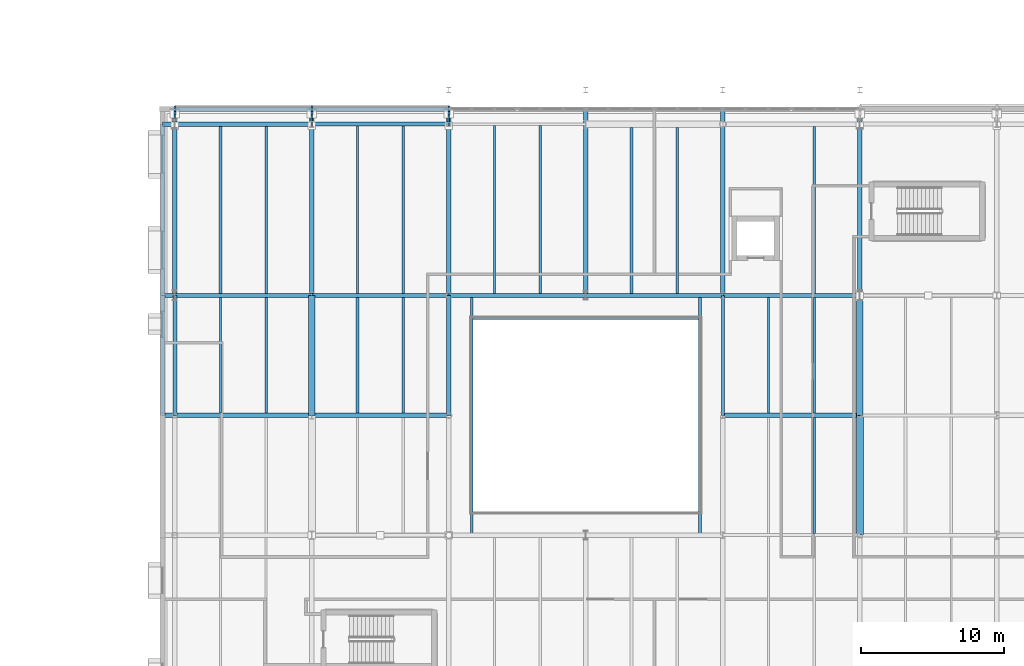
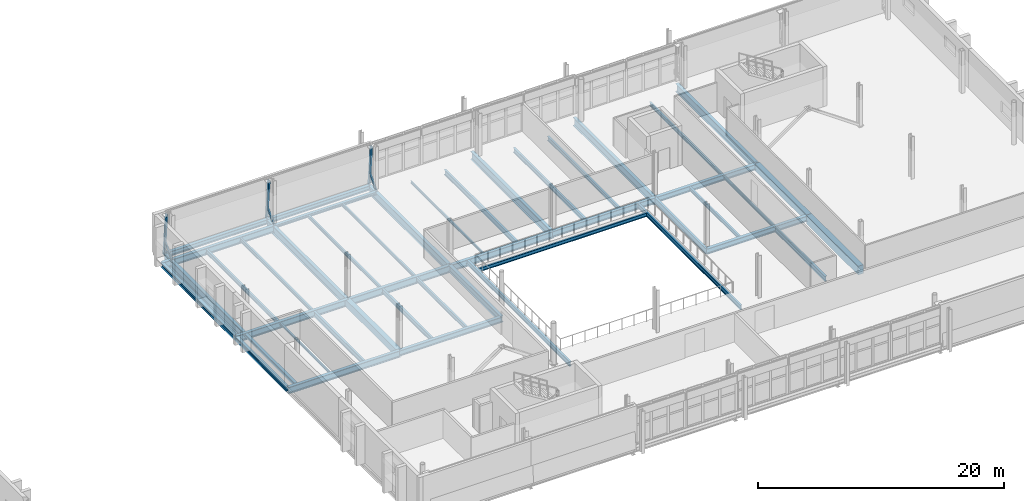
# One storey, part 21 of 57: 45 beams, 6 members.
"""IFC4 building model written with IfcOpenShell, lengths in metres."""

import ifcopenshell
import ifcopenshell.guid

model = None  # the IFC model being written
_history = None  # IfcOwnerHistory: only IFC2X3 demands one
_inside = {}  # id of a spatial element -> (the spatial element, [elements in it])
_under = {}  # id of a project, library or spatial element -> (it, [spatial elements below it])
_declared = {}  # id of a project -> (the project, [libraries it declares])
_typed = {}  # id of a type object -> (the type object, [elements of that type])
_made_of = {}  # id of a material, layer set ... -> (it, [elements and type objects made of it])


def new_model(schema):
    """Start an empty IFC model of exactly this schema.

    Asked for "IFC4X3", IfcOpenShell would pick the latest addendum, in which some entities
    have other attributes; the version numbers below select the first issue.
    IFC2X3 requires an IfcOwnerHistory on every rooted entity: one is made here for all.
    """
    global model, _history
    if schema == "IFC4X3":
        model = ifcopenshell.file(schema_version=(4, 3, 0, 0))
    else:
        model = ifcopenshell.file(schema=schema)
    _inside.clear()
    _under.clear()
    _declared.clear()
    _typed.clear()
    _made_of.clear()
    _history = None
    if model.schema == "IFC2X3":
        org = make("IfcOrganization", Name="unknown")
        user = make(
            "IfcPersonAndOrganization",
            ThePerson=make("IfcPerson", FamilyName="unknown"),
            TheOrganization=org,
        )
        app = make(
            "IfcApplication",
            ApplicationDeveloper=org,
            Version="unknown",
            ApplicationFullName="unknown",
            ApplicationIdentifier="unknown",
        )
        _history = make(
            "IfcOwnerHistory",
            OwningUser=user,
            OwningApplication=app,
            ChangeAction="ADDED",
            CreationDate=0,
        )
    return model


def make(cls, **values):
    """One entity of the class cls with the attributes given. An attribute that is None is left unset."""
    return model.create_entity(
        cls, **{name: value for name, value in values.items() if value is not None}
    )


def rooted(cls, **values):
    """An entity with a GlobalId (a new one), such as an element, a storey or a relation."""
    return make(cls, GlobalId=ifcopenshell.guid.new(), OwnerHistory=_history, **values)


def si_unit(unit_type, name, prefix=None):
    """IfcSIUnit, for example si_unit("LENGTHUNIT", "METRE", prefix="MILLI")."""
    return make("IfcSIUnit", UnitType=unit_type, Prefix=prefix, Name=name)


def assignment(units):
    """IfcUnitAssignment: the units of a project."""
    return None if units is None else make("IfcUnitAssignment", Units=units)


def point(xyz):
    """IfcCartesianPoint."""
    return None if xyz is None else make("IfcCartesianPoint", Coordinates=xyz)


def direction(xyz):
    """IfcDirection."""
    return None if xyz is None else make("IfcDirection", DirectionRatios=xyz)


def frame(location, z_axis=None, x_axis=None):
    """IfcAxis2Placement3D, a coordinate frame: its origin and axes. An axis left out is left unset."""
    return make(
        "IfcAxis2Placement3D",
        Location=point(location),
        Axis=direction(z_axis),
        RefDirection=direction(x_axis),
    )


def frame_2d(location, x_axis=None):
    """IfcAxis2Placement2D, a coordinate frame in the plane: its origin and x axis."""
    return make(
        "IfcAxis2Placement2D", Location=point(location), RefDirection=direction(x_axis)
    )


def origin():
    """The frame at (0, 0, 0) with its axes left unset."""
    return frame((0.0, 0.0, 0.0))


def origin_2d():
    """The frame at (0, 0) in the plane with its x axis left unset."""
    return frame_2d((0.0, 0.0))


def place(relative_to, where):
    """IfcLocalPlacement: puts the frame where relative to a parent placement (None: the world)."""
    return make(
        "IfcLocalPlacement", PlacementRelTo=relative_to, RelativePlacement=where
    )


def context(
    kind, dimensions, precision=None, world=None, true_north=None, identifier=None
):
    """IfcGeometricRepresentationContext, for example the 3D "Model" context."""
    return make(
        "IfcGeometricRepresentationContext",
        ContextIdentifier=identifier,
        ContextType=kind,
        CoordinateSpaceDimension=dimensions,
        Precision=precision,
        WorldCoordinateSystem=world,
        TrueNorth=true_north,
    )


def subcontext(parent, identifier, kind, view, scale=None):
    """IfcGeometricRepresentationSubContext, for example "Body" below "Model"."""
    return make(
        "IfcGeometricRepresentationSubContext",
        ContextIdentifier=identifier,
        ContextType=kind,
        ParentContext=parent,
        TargetScale=scale,
        TargetView=view,
    )


def project(units=None, contexts=None):
    """IfcProject with its units and contexts."""
    return rooted(
        "IfcProject",
        Name="project",
        RepresentationContexts=contexts,
        UnitsInContext=assignment(units),
    )


def spatial(cls, under=None, at=None, **own):
    """A site, building, storey or space (cls), placed at a placement, below another one or the project."""
    s = rooted(cls, ObjectPlacement=at, **own)
    if under is not None:
        _under.setdefault(under.id(), (under, []))[1].append(s)
    return s


def profile(cls, at=None, kind="AREA", **sizes):
    """A parametric profile (cls). Its sizes go by their IFC names, for example OverallWidth=200.0."""
    return make(cls, ProfileType=kind, Position=at, **sizes)


def rectangle(**sizes):
    """IfcRectangleProfileDef."""
    return profile("IfcRectangleProfileDef", **sizes)


def hollow_rectangle(**sizes):
    """IfcRectangleHollowProfileDef."""
    return profile("IfcRectangleHollowProfileDef", **sizes)


def i_section(**sizes):
    """IfcIShapeProfileDef."""
    return profile("IfcIShapeProfileDef", **sizes)


def extrude(swept, where, along, depth):
    """IfcExtrudedAreaSolid: the profile swept, set in the frame where, extruded along a direction by depth."""
    return make(
        "IfcExtrudedAreaSolid",
        SweptArea=swept,
        Position=where,
        ExtrudedDirection=direction(along),
        Depth=depth,
    )


def shape(context_of_items, identifier, shape_type, items):
    """IfcShapeRepresentation: the items that make up one representation, for example the "Body"."""
    return make(
        "IfcShapeRepresentation",
        ContextOfItems=context_of_items,
        RepresentationIdentifier=identifier,
        RepresentationType=shape_type,
        Items=items,
    )


def material(Name=None, Category=None):
    """IfcMaterial."""
    return make("IfcMaterial", Name=Name, Category=Category)


def material_profile(
    of_material, cross_section, Name=None, Category=None, Priority=None
):
    """IfcMaterialProfile: a cross section and its material."""
    return make(
        "IfcMaterialProfile",
        Name=Name,
        Material=of_material,
        Profile=cross_section,
        Priority=Priority,
        Category=Category,
    )


def profile_set(profiles, Name=None, composite=None):
    """IfcMaterialProfileSet."""
    return make(
        "IfcMaterialProfileSet",
        Name=Name,
        MaterialProfiles=profiles,
        CompositeProfile=composite,
    )


def made_of(thing, what):
    """Note that an element or type object is made of a material, layer set ...; save() writes the relation."""
    if what is not None:
        _made_of.setdefault(what.id(), (what, []))[1].append(thing)
    return thing


def type_object(cls, material=None, **own):
    """A type object (cls), such as IfcWallType, which elements share."""
    return made_of(rooted(cls, **own), material)


def element(
    cls,
    number,
    at=None,
    inside=None,
    cuts=None,
    type_object=None,
    material=None,
    context=None,
    identifier="Body",
    shape_type=None,
    held_by="IfcProductDefinitionShape",
    body=None,
    shapes=None,
    **own,
):
    """One element of the class cls, such as IfcWall. Its Tag is "e" and its number.

    at: its placement. inside: the storey or other place that contains it. cuts: it is an
    opening in that element (IfcRelVoidsElement). A single representation is given by context,
    identifier, shape_type and body (its items); several are given by shapes. held_by: the class
    of the entity that holds the representations. save() writes the other relations.
    """
    e = rooted(cls, Tag="e%d" % number, ObjectPlacement=at, **own)
    if body is not None:
        shapes = [shape(context, identifier, shape_type, body)]
    if shapes is not None:
        e.Representation = make(held_by, Representations=shapes)
    if inside is not None:
        _inside.setdefault(inside.id(), (inside, []))[1].append(e)
    if cuts is not None:
        rooted(
            "IfcRelVoidsElement", RelatingBuildingElement=cuts, RelatedOpeningElement=e
        )
    if type_object is not None:
        _typed.setdefault(type_object.id(), (type_object, []))[1].append(e)
    return made_of(e, material)


def aggregate(whole, parts):
    """IfcRelAggregates: a whole, such as a stair, and the parts it consists of."""
    return rooted("IfcRelAggregates", RelatingObject=whole, RelatedObjects=parts)


def save(model, path):
    """Write the relations noted so far, then the file.

    IfcRelAggregates (storeys below a building ...), IfcRelContainedInSpatialStructure (elements
    in a storey), IfcRelDefinesByType, IfcRelAssociatesMaterial and IfcRelDeclares: one each for
    every whole, place, type object, material and project.
    """
    for whole, parts in _under.values():
        aggregate(whole, parts)
    for where, things in _inside.values():
        rooted(
            "IfcRelContainedInSpatialStructure",
            RelatedElements=things,
            RelatingStructure=where,
        )
    for kind, things in _typed.values():
        rooted("IfcRelDefinesByType", RelatedObjects=things, RelatingType=kind)
    for what, things in _made_of.values():
        rooted("IfcRelAssociatesMaterial", RelatedObjects=things, RelatingMaterial=what)
    for by, libraries in _declared.values():
        rooted("IfcRelDeclares", RelatingContext=by, RelatedDefinitions=libraries)
    model.write(path)


model = new_model("IFC4")

# Units and contexts
model_context = context("Model", 3, precision=1e-05, world=origin(), true_north=direction((0.0, 1.0)))
body_context = subcontext(model_context, "Body", "Model", "MODEL_VIEW")
ifc_project = project(units=[si_unit("LENGTHUNIT", "METRE"), si_unit("AREAUNIT", "SQUARE_METRE"), si_unit("VOLUMEUNIT", "CUBIC_METRE"), si_unit("PLANEANGLEUNIT", "RADIAN"), si_unit("MASSUNIT", "GRAM", prefix="KILO")], contexts=[model_context])

# Site, building, storey
site_placement = place(None, origin())
site = spatial("IfcSite", under=ifc_project, at=site_placement, CompositionType="ELEMENT")
building_placement = place(site_placement, origin())
building = spatial("IfcBuilding", under=site, at=building_placement, Name="Zereglee Splitstone Museum", CompositionType="ELEMENT")
storey_placement = place(building_placement, frame((0.0, 0.0, 17.10009765625)))
storey = spatial("IfcBuildingStorey", under=building, at=storey_placement, Name="L03", CompositionType="ELEMENT", Elevation=17.10009765625)

# Beams
ifc_material_1 = material(Name="Concrete C40/50", Category="concrete")
ifc_material_profile_1 = material_profile(ifc_material_1, rectangle(XDim=0.449951171875, YDim=0.699951171875, at=origin_2d()), Name="RC 450x700")
ifc_profile_set_1 = profile_set([ifc_material_profile_1], Name="Concrete C40/50")
beam_type_1 = type_object("IfcBeamType", Name="BG-03", PredefinedType="BEAM", material=ifc_profile_set_1)
for number, where, z_axis, x_axis, name in (
    (1, (87.60009765625, 30.0, -0.630126953125), (0.0, 1.0, 0.0), (-1.0, 0.0, 0.0), "Primary Girder L03 11 (30.0-38.4)"),
    (2, (126.0, 30.0, -0.630126953125), (0.0, 1.0, 0.0), (-1.0, 0.0, 0.0), "Primary Girder L03 15 (30.0-38.4)"),
):
    element("IfcBeam", number, at=place(storey_placement, frame(where, z_axis=z_axis, x_axis=x_axis)), inside=storey, type_object=beam_type_1, Name=name, PredefinedType="BEAM", context=body_context, shape_type="SweptSolid", body=[
        extrude(rectangle(XDim=0.449951171875, YDim=0.699951171875, at=origin_2d()), origin(), (0.0, 0.0, 1.0), 8.39990234375),
    ])
ifc_material_profile_2 = material_profile(ifc_material_1, rectangle(XDim=0.5, YDim=0.85009765625, at=origin_2d()), Name="RC 500x850")
ifc_profile_set_2 = profile_set([ifc_material_profile_2], Name="Concrete C40/50")
beam_type_2 = type_object("IfcBeamType", Name="BG-02", PredefinedType="BEAM", material=ifc_profile_set_2)
beam_1_placement = place(storey_placement, frame((126.0, 21.60009765625, -0.705078125), z_axis=(0.0, 1.0, 0.0), x_axis=(-1.0, 0.0, 0.0)))
element("IfcBeam", 3, at=beam_1_placement, inside=storey, type_object=beam_type_2, Name="Primary Girder L03 15 (21.6-30.0)", PredefinedType="BEAM", context=body_context, shape_type="SweptSolid", body=[
    extrude(rectangle(XDim=0.5, YDim=0.85009765625, at=origin_2d()), origin(), (0.0, 0.0, 1.0), 8.39990234375),
])
ifc_material_2 = material(Name="Steel S355J2", Category="steel")
ifc_material_profile_3 = material_profile(ifc_material_2, i_section(OverallWidth=0.300048828125, OverallDepth=0.550048828125, WebThickness=0.014892578125, FlangeThickness=0.029052734375, FilletRadius=0.027099609375, at=origin_2d()), Name="HE 550 B")
ifc_profile_set_3 = profile_set([ifc_material_profile_3], Name="Steel S355J2")
beam_type_3 = type_object("IfcBeamType", Name="BG-11", PredefinedType="BEAM", material=ifc_profile_set_3)
beam_2_placement = place(storey_placement, frame((87.60009765625, 30.0, -0.55517578125), z_axis=(1.0, 0.0, 0.0), x_axis=(0.0, 1.0, 0.0)))
element("IfcBeam", 4, at=beam_2_placement, inside=storey, type_object=beam_type_3, Name="Primary Girder L03 D (87.6-97.2)", PredefinedType="BEAM", context=body_context, shape_type="SweptSolid", body=[
    extrude(i_section(OverallWidth=0.300048828125, OverallDepth=0.550048828125, WebThickness=0.014892578125, FlangeThickness=0.029052734375, FilletRadius=0.027099609375, at=origin_2d()), origin(), (0.0, 0.0, 1.0), 9.599853515625),
])
for number, where, z_axis, x_axis, name in (
    (5, (116.39990234375, 30.0, -0.55517578125), (1.0, 0.0, 0.0), (0.0, 1.0, 0.0), "Primary Girder L03 D (116.4-126.0)"),
    (6, (116.39990234375, 38.39990234375, -0.55517578125), (1.0, 0.0, 0.0), (0.0, 1.0, 0.0), "Primary Girder L03 E (116.4-126.0)"),
):
    element("IfcBeam", number, at=place(storey_placement, frame(where, z_axis=z_axis, x_axis=x_axis)), inside=storey, type_object=beam_type_3, Name=name, PredefinedType="BEAM", context=body_context, shape_type="SweptSolid", body=[
        extrude(i_section(OverallWidth=0.300048828125, OverallDepth=0.550048828125, WebThickness=0.014892578125, FlangeThickness=0.029052734375, FilletRadius=0.027099609375, at=origin_2d()), origin(), (0.0, 0.0, 1.0), 9.60009765625),
    ])
ifc_material_profile_4 = material_profile(ifc_material_2, i_section(OverallWidth=0.300048828125, OverallDepth=0.60009765625, WebThickness=0.015380859375, FlangeThickness=0.030029296875, FilletRadius=0.027099609375, at=origin_2d()), Name="HE 600 B")
ifc_profile_set_4 = profile_set([ifc_material_profile_4], Name="Steel S355J2")
beam_type_4 = type_object("IfcBeamType", Name="BG-10", PredefinedType="BEAM", material=ifc_profile_set_4)
beam_3_placement = place(storey_placement, frame((106.800048828125, 38.39990234375, -0.580078125), z_axis=(1.0, 0.0, 0.0), x_axis=(0.0, 1.0, 0.0)))
element("IfcBeam", 7, at=beam_3_placement, inside=storey, type_object=beam_type_4, Name="Primary Girder L03 E (106.8-116.4)", PredefinedType="BEAM", context=body_context, shape_type="SweptSolid", body=[
    extrude(i_section(OverallWidth=0.300048828125, OverallDepth=0.60009765625, WebThickness=0.015380859375, FlangeThickness=0.030029296875, FilletRadius=0.027099609375, at=origin_2d()), origin(), (0.0, 0.0, 1.0), 9.599853515625),
])
ifc_material_profile_5 = material_profile(ifc_material_2, i_section(OverallWidth=0.300048828125, OverallDepth=0.64990234375, WebThickness=0.01611328125, FlangeThickness=0.031005859375, FilletRadius=0.027099609375, at=origin_2d()), Name="HE 650 B")
ifc_profile_set_5 = profile_set([ifc_material_profile_5], Name="Steel S355J2")
beam_type_5 = type_object("IfcBeamType", Name="BG-09", PredefinedType="BEAM", material=ifc_profile_set_5)
for number, where, z_axis, x_axis, name in (
    (8, (77.14990234375, 30.0, -0.60498046875), (1.0, 0.0, 0.0), (0.0, 1.0, 0.0), "Primary Girder L03 D (77.2-87.6)"),
    (9, (77.14990234375, 38.39990234375, -0.60498046875), (1.0, 0.0, 0.0), (0.0, 1.0, 0.0), "Primary Girder L03 E (77.2-87.6)"),
):
    element("IfcBeam", number, at=place(storey_placement, frame(where, z_axis=z_axis, x_axis=x_axis)), inside=storey, type_object=beam_type_5, Name=name, PredefinedType="BEAM", context=body_context, shape_type="SweptSolid", body=[
        extrude(i_section(OverallWidth=0.300048828125, OverallDepth=0.64990234375, WebThickness=0.01611328125, FlangeThickness=0.031005859375, FilletRadius=0.027099609375, at=origin_2d()), origin(), (0.0, 0.0, 1.0), 10.4501953125),
    ])
beam_4_placement = place(storey_placement, frame((97.199951171875, 38.39990234375, -0.60498046875), z_axis=(1.0, 0.0, 0.0), x_axis=(0.0, 1.0, 0.0)))
element("IfcBeam", 10, at=beam_4_placement, inside=storey, type_object=beam_type_5, Name="Primary Girder L03 E (97.2-106.8)", PredefinedType="BEAM", context=body_context, shape_type="SweptSolid", body=[
    extrude(i_section(OverallWidth=0.300048828125, OverallDepth=0.64990234375, WebThickness=0.01611328125, FlangeThickness=0.031005859375, FilletRadius=0.027099609375, at=origin_2d()), origin(), (0.0, 0.0, 1.0), 9.60009765625),
])
beam_5_placement = place(storey_placement, frame((77.14990234375, 50.39990234375, -0.60498046875), z_axis=(1.0, 0.0, 0.0), x_axis=(0.0, 1.0, 0.0)))
element("IfcBeam", 11, at=beam_5_placement, inside=storey, type_object=beam_type_5, Name="Primary Girder L03 F (77.2-87.6)", PredefinedType="BEAM", context=body_context, shape_type="SweptSolid", body=[
    extrude(i_section(OverallWidth=0.300048828125, OverallDepth=0.64990234375, WebThickness=0.01611328125, FlangeThickness=0.031005859375, FilletRadius=0.027099609375, at=origin_2d()), origin(), (0.0, 0.0, 1.0), 10.4501953125),
])
beam_6_placement = place(storey_placement, frame((97.199951171875, 30.0, -0.60498046875), z_axis=(0.0, 1.0, 0.0), x_axis=(-1.0, 0.0, 0.0)))
element("IfcBeam", 12, at=beam_6_placement, inside=storey, type_object=beam_type_5, Name="Primary Girder L03 12 (30.0-38.4)", PredefinedType="BEAM", context=body_context, shape_type="SweptSolid", body=[
    extrude(i_section(OverallWidth=0.300048828125, OverallDepth=0.64990234375, WebThickness=0.01611328125, FlangeThickness=0.031005859375, FilletRadius=0.027099609375, at=origin_2d()), origin(), (0.0, 0.0, 1.0), 8.39990234375),
])
ifc_material_profile_6 = material_profile(ifc_material_2, i_section(OverallWidth=0.300048828125, OverallDepth=0.699951171875, WebThickness=0.01708984375, FlangeThickness=0.031982421875, FilletRadius=0.027099609375, at=origin_2d()), Name="HE 700 B")
ifc_profile_set_6 = profile_set([ifc_material_profile_6], Name="Steel S355J2")
beam_type_6 = type_object("IfcBeamType", Name="BG-08", PredefinedType="BEAM", material=ifc_profile_set_6)
beam_7_placement = place(storey_placement, frame((87.60009765625, 38.39990234375, -0.630126953125), z_axis=(1.0, 0.0, 0.0), x_axis=(0.0, 1.0, 0.0)))
element("IfcBeam", 13, at=beam_7_placement, inside=storey, type_object=beam_type_6, Name="Primary Girder L03 E (87.6-97.2)", PredefinedType="BEAM", context=body_context, shape_type="SweptSolid", body=[
    extrude(i_section(OverallWidth=0.300048828125, OverallDepth=0.699951171875, WebThickness=0.01708984375, FlangeThickness=0.031982421875, FilletRadius=0.027099609375, at=origin_2d()), origin(), (0.0, 0.0, 1.0), 9.599853515625),
])
ifc_material_profile_7 = material_profile(ifc_material_2, i_section(OverallWidth=0.300048828125, OverallDepth=0.800048828125, WebThickness=0.017578125, FlangeThickness=0.032958984375, FilletRadius=0.030029296875, at=origin_2d()), Name="HE 800 B")
ifc_profile_set_7 = profile_set([ifc_material_profile_7], Name="Steel S355J2")
beam_type_7 = type_object("IfcBeamType", Name="BG-07", PredefinedType="BEAM", material=ifc_profile_set_7)
for number, where, z_axis, x_axis, name in (
    (14, (78.0, 38.39990234375, -0.68017578125), (0.0, 1.0, 0.0), (-1.0, 0.0, 0.0), "Primary Girder L03 10 (38.4-51.5)"),
    (15, (87.60009765625, 38.39990234375, -0.68017578125), (0.0, 1.0, 0.0), (-1.0, 0.0, 0.0), "Primary Girder L03 11 (38.4-51.5)"),
    (16, (97.199951171875, 38.39990234375, -0.68017578125), (0.0, 1.0, 0.0), (-1.0, 0.0, 0.0), "Primary Girder L03 12 (38.4-51.5)"),
    (17, (106.800048828125, 38.39990234375, -0.68017578125), (0.0, 1.0, 0.0), (-1.0, 0.0, 0.0), "Primary Girder L03 13 (38.4-51.5)"),
    (18, (116.39990234375, 38.39990234375, -0.68017578125), (0.0, 1.0, 0.0), (-1.0, 0.0, 0.0), "Primary Girder L03 14 (38.4-51.5)"),
    (19, (126.0, 38.39990234375, -0.68017578125), (0.0, 1.0, 0.0), (-1.0, 0.0, 0.0), "Primary Girder L03 15 (38.4-51.5)"),
):
    element("IfcBeam", number, at=place(storey_placement, frame(where, z_axis=z_axis, x_axis=x_axis)), inside=storey, type_object=beam_type_7, Name=name, PredefinedType="BEAM", context=body_context, shape_type="SweptSolid", body=[
        extrude(i_section(OverallWidth=0.300048828125, OverallDepth=0.800048828125, WebThickness=0.017578125, FlangeThickness=0.032958984375, FilletRadius=0.030029296875, at=origin_2d()), origin(), (0.0, 0.0, 1.0), 13.050048828125),
    ])
ifc_material_profile_8 = material_profile(ifc_material_2, i_section(OverallWidth=0.2099609375, OverallDepth=0.550048828125, WebThickness=0.010986328125, FlangeThickness=0.01708984375, FilletRadius=0.02392578125, at=origin_2d()), Name="IPE 550")
ifc_profile_set_8 = profile_set([ifc_material_profile_8], Name="Steel S355J2")
beam_type_8 = type_object("IfcBeamType", Name="BG-16", PredefinedType="BEAM", material=ifc_profile_set_8)
beam_8_placement = place(storey_placement, frame((116.39990234375, 30.0, -0.55517578125), z_axis=(0.0, 1.0, 0.0), x_axis=(-1.0, 0.0, 0.0)))
element("IfcBeam", 20, at=beam_8_placement, inside=storey, type_object=beam_type_8, Name="Primary Girder L03 14 (30.0-38.4)", PredefinedType="BEAM", context=body_context, shape_type="SweptSolid", body=[
    extrude(i_section(OverallWidth=0.2099609375, OverallDepth=0.550048828125, WebThickness=0.010986328125, FlangeThickness=0.01708984375, FilletRadius=0.02392578125, at=origin_2d()), origin(), (0.0, 0.0, 1.0), 8.39990234375),
])
ifc_material_profile_9 = material_profile(ifc_material_2, i_section(OverallWidth=0.1201171875, OverallDepth=0.239990234375, WebThickness=0.006103515625, FlangeThickness=0.009765625, FilletRadius=0.014892578125, at=origin_2d()), Name="IPE 240")
ifc_profile_set_9 = profile_set([ifc_material_profile_9], Name="Steel S355J2")
beam_type_9 = type_object("IfcBeamType", Name="BJ-07", PredefinedType="JOIST", material=ifc_profile_set_9)
beam_9_placement = place(storey_placement, frame((81.199951171875, 30.14990234375, -0.400146484375), z_axis=(0.0, 1.0, 0.0), x_axis=(-1.0, 0.0, 0.0)))
element("IfcBeam", 21, at=beam_9_placement, inside=storey, type_object=beam_type_9, Name="Secondary Floor Joist L03-1364", PredefinedType="JOIST", context=body_context, shape_type="SweptSolid", body=[
    extrude(i_section(OverallWidth=0.1201171875, OverallDepth=0.239990234375, WebThickness=0.006103515625, FlangeThickness=0.009765625, FilletRadius=0.014892578125, at=origin_2d()), origin(), (0.0, 0.0, 1.0), 8.10009765625),
])
beam_10_placement = place(storey_placement, frame((100.39990234375, 38.550048828125, -0.400146484375), z_axis=(0.0, 1.0, 0.0), x_axis=(-1.0, 0.0, 0.0)))
element("IfcBeam", 22, at=beam_10_placement, inside=storey, type_object=beam_type_9, Name="Secondary Floor Joist L03-1378", PredefinedType="JOIST", context=body_context, shape_type="SweptSolid", body=[
    extrude(i_section(OverallWidth=0.1201171875, OverallDepth=0.239990234375, WebThickness=0.006103515625, FlangeThickness=0.009765625, FilletRadius=0.014892578125, at=origin_2d()), origin(), (0.0, 0.0, 1.0), 11.75),
])
ifc_material_profile_10 = material_profile(ifc_material_2, i_section(OverallWidth=0.14990234375, OverallDepth=0.300048828125, WebThickness=0.007080078125, FlangeThickness=0.0107421875, FilletRadius=0.014892578125, at=origin_2d()), Name="IPE 300")
ifc_profile_set_10 = profile_set([ifc_material_profile_10], Name="Steel S355J2")
beam_type_10 = type_object("IfcBeamType", Name="BJ-06", PredefinedType="JOIST", material=ifc_profile_set_10)
beam_11_placement = place(storey_placement, frame((94.0, 38.550048828125, -0.43017578125), z_axis=(0.0, 1.0, 0.0), x_axis=(-1.0, 0.0, 0.0)))
element("IfcBeam", 23, at=beam_11_placement, inside=storey, type_object=beam_type_10, Name="Secondary Floor Joist L03-1377", PredefinedType="JOIST", context=body_context, shape_type="SweptSolid", body=[
    extrude(i_section(OverallWidth=0.14990234375, OverallDepth=0.300048828125, WebThickness=0.007080078125, FlangeThickness=0.0107421875, FilletRadius=0.014892578125, at=origin_2d()), origin(), (0.0, 0.0, 1.0), 11.7099609375),
])
ifc_material_profile_11 = material_profile(ifc_material_2, i_section(OverallWidth=0.159912109375, OverallDepth=0.330078125, WebThickness=0.007568359375, FlangeThickness=0.011474609375, FilletRadius=0.01806640625, at=origin_2d()), Name="IPE 330")
ifc_profile_set_11 = profile_set([ifc_material_profile_11], Name="Steel S355J2")
beam_type_11 = type_object("IfcBeamType", Name="BJ-05", PredefinedType="JOIST", material=ifc_profile_set_11)
beam_12_placement = place(storey_placement, frame((122.800048828125, 30.14990234375, -0.445068359375), z_axis=(0.0, 1.0, 0.0), x_axis=(-1.0, 0.0, 0.0)))
element("IfcBeam", 24, at=beam_12_placement, inside=storey, type_object=beam_type_11, Name="Secondary Floor Joist L03-1369", PredefinedType="JOIST", context=body_context, shape_type="SweptSolid", body=[
    extrude(i_section(OverallWidth=0.159912109375, OverallDepth=0.330078125, WebThickness=0.007568359375, FlangeThickness=0.011474609375, FilletRadius=0.01806640625, at=origin_2d()), origin(), (0.0, 0.0, 1.0), 8.10009765625),
])
beam_13_placement = place(storey_placement, frame((90.800048828125, 38.550048828125, -0.445068359375), z_axis=(0.0, 1.0, 0.0), x_axis=(-1.0, 0.0, 0.0)))
element("IfcBeam", 25, at=beam_13_placement, inside=storey, type_object=beam_type_11, Name="Secondary Floor Joist L03-1376", PredefinedType="JOIST", context=body_context, shape_type="SweptSolid", body=[
    extrude(i_section(OverallWidth=0.159912109375, OverallDepth=0.330078125, WebThickness=0.007568359375, FlangeThickness=0.011474609375, FilletRadius=0.01806640625, at=origin_2d()), origin(), (0.0, 0.0, 1.0), 11.7099609375),
])
ifc_material_profile_12 = material_profile(ifc_material_2, i_section(OverallWidth=0.169921875, OverallDepth=0.360107421875, WebThickness=0.008056640625, FlangeThickness=0.0126953125, FilletRadius=0.01806640625, at=origin_2d()), Name="IPE 360")
ifc_profile_set_12 = profile_set([ifc_material_profile_12], Name="Steel S355J2")
beam_type_12 = type_object("IfcBeamType", Name="BJ-04", PredefinedType="JOIST", material=ifc_profile_set_12)
beam_14_placement = place(storey_placement, frame((119.60009765625, 30.14990234375, -0.460205078125), z_axis=(0.0, 1.0, 0.0), x_axis=(-1.0, 0.0, 0.0)))
element("IfcBeam", 26, at=beam_14_placement, inside=storey, type_object=beam_type_12, Name="Secondary Floor Joist L03-1368", PredefinedType="JOIST", context=body_context, shape_type="SweptSolid", body=[
    extrude(i_section(OverallWidth=0.169921875, OverallDepth=0.360107421875, WebThickness=0.008056640625, FlangeThickness=0.0126953125, FilletRadius=0.01806640625, at=origin_2d()), origin(), (0.0, 0.0, 1.0), 8.10009765625),
])
for number, where, z_axis, x_axis, name in (
    (27, (84.39990234375, 38.550048828125, -0.460205078125), (0.0, 1.0, 0.0), (-1.0, 0.0, 0.0), "Secondary Floor Joist L03-1375"),
    (28, (122.800048828125, 38.550048828125, -0.460205078125), (0.0, 1.0, 0.0), (-1.0, 0.0, 0.0), "Secondary Floor Joist L03-1382"),
):
    element("IfcBeam", number, at=place(storey_placement, frame(where, z_axis=z_axis, x_axis=x_axis)), inside=storey, type_object=beam_type_12, Name=name, PredefinedType="JOIST", context=body_context, shape_type="SweptSolid", body=[
        extrude(i_section(OverallWidth=0.169921875, OverallDepth=0.360107421875, WebThickness=0.008056640625, FlangeThickness=0.0126953125, FilletRadius=0.01806640625, at=origin_2d()), origin(), (0.0, 0.0, 1.0), 11.699951171875),
    ])
beam_15_placement = place(storey_placement, frame((98.89990234375, 36.800048828125, -0.460205078125), z_axis=(1.0, 0.0, 0.0), x_axis=(0.0, 1.0, 0.0)))
element("IfcBeam", 29, at=beam_15_placement, inside=storey, type_object=beam_type_12, Name="Atrium Rim Beam L03 N", PredefinedType="JOIST", context=body_context, shape_type="SweptSolid", body=[
    extrude(i_section(OverallWidth=0.169921875, OverallDepth=0.360107421875, WebThickness=0.008056640625, FlangeThickness=0.0126953125, FilletRadius=0.01806640625, at=origin_2d()), origin(), (0.0, 0.0, 1.0), 15.800048828125),
])
ifc_material_profile_13 = material_profile(ifc_material_2, i_section(OverallWidth=0.179931640625, OverallDepth=0.39990234375, WebThickness=0.008544921875, FlangeThickness=0.013427734375, FilletRadius=0.02099609375, at=origin_2d()), Name="IPE 400")
ifc_profile_set_13 = profile_set([ifc_material_profile_13], Name="Steel S355J2")
beam_type_13 = type_object("IfcBeamType", Name="BJ-03", PredefinedType="JOIST", material=ifc_profile_set_13)
beam_16_placement = place(storey_placement, frame((94.0, 30.14990234375, -0.47998046875), z_axis=(0.0, 1.0, 0.0), x_axis=(-1.0, 0.0, 0.0)))
element("IfcBeam", 30, at=beam_16_placement, inside=storey, type_object=beam_type_13, Name="Secondary Floor Joist L03-1367", PredefinedType="JOIST", context=body_context, shape_type="SweptSolid", body=[
    extrude(i_section(OverallWidth=0.179931640625, OverallDepth=0.39990234375, WebThickness=0.008544921875, FlangeThickness=0.013427734375, FilletRadius=0.02099609375, at=origin_2d()), origin(), (0.0, 0.0, 1.0), 8.10009765625),
])
beam_17_placement = place(storey_placement, frame((81.199951171875, 38.550048828125, -0.47998046875), z_axis=(0.0, 1.0, 0.0), x_axis=(-1.0, 0.0, 0.0)))
element("IfcBeam", 31, at=beam_17_placement, inside=storey, type_object=beam_type_13, Name="Secondary Floor Joist L03-1374", PredefinedType="JOIST", context=body_context, shape_type="SweptSolid", body=[
    extrude(i_section(OverallWidth=0.179931640625, OverallDepth=0.39990234375, WebThickness=0.008544921875, FlangeThickness=0.013427734375, FilletRadius=0.02099609375, at=origin_2d()), origin(), (0.0, 0.0, 1.0), 11.699951171875),
])
beam_18_placement = place(storey_placement, frame((113.199951171875, 38.550048828125, -0.47998046875), z_axis=(0.0, 1.0, 0.0), x_axis=(-1.0, 0.0, 0.0)))
element("IfcBeam", 32, at=beam_18_placement, inside=storey, type_object=beam_type_13, Name="Secondary Floor Joist L03-1381", PredefinedType="JOIST", context=body_context, shape_type="SweptSolid", body=[
    extrude(i_section(OverallWidth=0.179931640625, OverallDepth=0.39990234375, WebThickness=0.008544921875, FlangeThickness=0.013427734375, FilletRadius=0.02099609375, at=origin_2d()), origin(), (0.0, 0.0, 1.0), 11.625),
])
ifc_material_profile_14 = material_profile(ifc_material_2, i_section(OverallWidth=0.18994140625, OverallDepth=0.449951171875, WebThickness=0.009521484375, FlangeThickness=0.0146484375, FilletRadius=0.02099609375, at=origin_2d()), Name="IPE 450")
ifc_profile_set_14 = profile_set([ifc_material_profile_14], Name="Steel S355J2")
beam_type_14 = type_object("IfcBeamType", Name="BJ-02", PredefinedType="JOIST", material=ifc_profile_set_14)
beam_19_placement = place(storey_placement, frame((90.800048828125, 30.14990234375, -0.505126953125), z_axis=(0.0, 1.0, 0.0), x_axis=(-1.0, 0.0, 0.0)))
element("IfcBeam", 33, at=beam_19_placement, inside=storey, type_object=beam_type_14, Name="Secondary Floor Joist L03-1366", PredefinedType="JOIST", context=body_context, shape_type="SweptSolid", body=[
    extrude(i_section(OverallWidth=0.18994140625, OverallDepth=0.449951171875, WebThickness=0.009521484375, FlangeThickness=0.0146484375, FilletRadius=0.02099609375, at=origin_2d()), origin(), (0.0, 0.0, 1.0), 8.10009765625),
])
beam_20_placement = place(storey_placement, frame((110.0, 38.550048828125, -0.505126953125), z_axis=(0.0, 1.0, 0.0), x_axis=(-1.0, 0.0, 0.0)))
element("IfcBeam", 34, at=beam_20_placement, inside=storey, type_object=beam_type_14, Name="Secondary Floor Joist L03-1380", PredefinedType="JOIST", context=body_context, shape_type="SweptSolid", body=[
    extrude(i_section(OverallWidth=0.18994140625, OverallDepth=0.449951171875, WebThickness=0.009521484375, FlangeThickness=0.0146484375, FilletRadius=0.02099609375, at=origin_2d()), origin(), (0.0, 0.0, 1.0), 11.625),
])
for number, where, z_axis, x_axis, name in (
    (35, (98.800048828125, 21.60009765625, -0.505126953125), (0.0, 1.0, 0.0), (-1.0, 0.0, 0.0), "Atrium Edge Beam L03 W"),
    (36, (114.800048828125, 21.60009765625, -0.505126953125), (0.0, 1.0, 0.0), (-1.0, 0.0, 0.0), "Atrium Edge Beam L03 E"),
):
    element("IfcBeam", number, at=place(storey_placement, frame(where, z_axis=z_axis, x_axis=x_axis)), inside=storey, type_object=beam_type_14, Name=name, PredefinedType="JOIST", context=body_context, shape_type="SweptSolid", body=[
        extrude(i_section(OverallWidth=0.18994140625, OverallDepth=0.449951171875, WebThickness=0.009521484375, FlangeThickness=0.0146484375, FilletRadius=0.02099609375, at=origin_2d()), origin(), (0.0, 0.0, 1.0), 16.7998046875),
    ])
ifc_material_profile_15 = material_profile(ifc_material_2, i_section(OverallWidth=0.199951171875, OverallDepth=0.5, WebThickness=0.01025390625, FlangeThickness=0.01611328125, FilletRadius=0.02099609375, at=origin_2d()), Name="IPE 500")
ifc_profile_set_15 = profile_set([ifc_material_profile_15], Name="Steel S355J2")
beam_type_15 = type_object("IfcBeamType", Name="BJ-01", PredefinedType="JOIST", material=ifc_profile_set_15)
beam_21_placement = place(storey_placement, frame((122.800048828125, 21.705078125, -0.530029296875), z_axis=(0.0, 1.0, 0.0), x_axis=(-1.0, 0.0, 0.0)))
element("IfcBeam", 37, at=beam_21_placement, inside=storey, type_object=beam_type_15, Name="Secondary Floor Joist L03-1351", PredefinedType="JOIST", context=body_context, shape_type="SweptSolid", body=[
    extrude(i_section(OverallWidth=0.199951171875, OverallDepth=0.5, WebThickness=0.01025390625, FlangeThickness=0.01611328125, FilletRadius=0.02099609375, at=origin_2d()), origin(), (0.0, 0.0, 1.0), 8.14501953125),
])
beam_22_placement = place(storey_placement, frame((84.39990234375, 30.14990234375, -0.530029296875), z_axis=(0.0, 1.0, 0.0), x_axis=(-1.0, 0.0, 0.0)))
element("IfcBeam", 38, at=beam_22_placement, inside=storey, type_object=beam_type_15, Name="Secondary Floor Joist L03-1365", PredefinedType="JOIST", context=body_context, shape_type="SweptSolid", body=[
    extrude(i_section(OverallWidth=0.199951171875, OverallDepth=0.5, WebThickness=0.01025390625, FlangeThickness=0.01611328125, FilletRadius=0.02099609375, at=origin_2d()), origin(), (0.0, 0.0, 1.0), 8.10009765625),
])
beam_23_placement = place(storey_placement, frame((103.60009765625, 38.550048828125, -0.530029296875), z_axis=(0.0, 1.0, 0.0), x_axis=(-1.0, 0.0, 0.0)))
element("IfcBeam", 39, at=beam_23_placement, inside=storey, type_object=beam_type_15, Name="Secondary Floor Joist L03-1379", PredefinedType="JOIST", context=body_context, shape_type="SweptSolid", body=[
    extrude(i_section(OverallWidth=0.199951171875, OverallDepth=0.5, WebThickness=0.01025390625, FlangeThickness=0.01611328125, FilletRadius=0.02099609375, at=origin_2d()), origin(), (0.0, 0.0, 1.0), 11.75),
])
ifc_material_profile_16 = material_profile(ifc_material_2, i_section(OverallWidth=0.280029296875, OverallDepth=0.280029296875, WebThickness=0.010498046875, FlangeThickness=0.01806640625, FilletRadius=0.02392578125, at=origin_2d()), Name="HE 280 B")
ifc_profile_set_16 = profile_set([ifc_material_profile_16], Name="Steel S355J2")
beam_type_16 = type_object("IfcBeamType", Name="SP-03", PredefinedType="SPANDREL", material=ifc_profile_set_16)
beam_24_placement = place(storey_placement, frame((87.60009765625, 50.39990234375, -0.420166015625), z_axis=(1.0, 0.0, 0.0), x_axis=(0.0, 1.0, 0.0)))
element("IfcBeam", 40, at=beam_24_placement, inside=storey, type_object=beam_type_16, Name="Primary Girder L03 F (87.6-97.2)", PredefinedType="SPANDREL", context=body_context, shape_type="SweptSolid", body=[
    extrude(i_section(OverallWidth=0.280029296875, OverallDepth=0.280029296875, WebThickness=0.010498046875, FlangeThickness=0.01806640625, FilletRadius=0.02392578125, at=origin_2d()), origin(), (0.0, 0.0, 1.0), 9.599853515625),
])
beam_25_placement = place(storey_placement, frame((78.0, 30.0, -0.420166015625), z_axis=(0.0, 1.0, 0.0), x_axis=(-1.0, 0.0, 0.0)))
element("IfcBeam", 41, at=beam_25_placement, inside=storey, type_object=beam_type_16, Name="Primary Girder L03 10 (30.0-38.4)", PredefinedType="SPANDREL", context=body_context, shape_type="SweptSolid", body=[
    extrude(i_section(OverallWidth=0.280029296875, OverallDepth=0.280029296875, WebThickness=0.010498046875, FlangeThickness=0.01806640625, FilletRadius=0.02392578125, at=origin_2d()), origin(), (0.0, 0.0, 1.0), 8.39990234375),
])
ifc_material_profile_17 = material_profile(ifc_material_2, i_section(OverallWidth=0.300048828125, OverallDepth=0.449951171875, WebThickness=0.013916015625, FlangeThickness=0.02587890625, FilletRadius=0.027099609375, at=origin_2d()), Name="HE 450 B")
ifc_profile_set_17 = profile_set([ifc_material_profile_17], Name="Steel S355J2")
beam_type_17 = type_object("IfcBeamType", Name="SP-02", PredefinedType="SPANDREL", material=ifc_profile_set_17)
beam_26_placement = place(storey_placement, frame((78.0, 51.449951171875, -0.505126953125), z_axis=(1.0, 0.0, 0.0), x_axis=(0.0, 1.0, 0.0)))
element("IfcBeam", 42, at=beam_26_placement, inside=storey, type_object=beam_type_17, Name="Hovering Soffit Spandrel L03 (78.0-87.6)", PredefinedType="SPANDREL", context=body_context, shape_type="SweptSolid", body=[
    extrude(i_section(OverallWidth=0.300048828125, OverallDepth=0.449951171875, WebThickness=0.013916015625, FlangeThickness=0.02587890625, FilletRadius=0.027099609375, at=origin_2d()), origin(), (0.0, 0.0, 1.0), 9.60009765625),
])
beam_27_placement = place(storey_placement, frame((87.60009765625, 51.449951171875, -0.505126953125), z_axis=(1.0, 0.0, 0.0), x_axis=(0.0, 1.0, 0.0)))
element("IfcBeam", 43, at=beam_27_placement, inside=storey, type_object=beam_type_17, Name="Hovering Soffit Spandrel L03 (87.6-97.2)", PredefinedType="SPANDREL", context=body_context, shape_type="SweptSolid", body=[
    extrude(i_section(OverallWidth=0.300048828125, OverallDepth=0.449951171875, WebThickness=0.013916015625, FlangeThickness=0.02587890625, FilletRadius=0.027099609375, at=origin_2d()), origin(), (0.0, 0.0, 1.0), 9.599853515625),
])
beam_28_placement = place(storey_placement, frame((77.14990234375, 30.0, -0.505126953125), z_axis=(0.0, 1.0, 0.0), x_axis=(-1.0, 0.0, 0.0)))
element("IfcBeam", 44, at=beam_28_placement, inside=storey, type_object=beam_type_17, Name="Hovering Soffit Spandrel L03 Y=(30.0-38.4)", PredefinedType="SPANDREL", context=body_context, shape_type="SweptSolid", body=[
    extrude(i_section(OverallWidth=0.300048828125, OverallDepth=0.449951171875, WebThickness=0.013916015625, FlangeThickness=0.02587890625, FilletRadius=0.027099609375, at=origin_2d()), origin(), (0.0, 0.0, 1.0), 8.39990234375),
])
beam_29_placement = place(storey_placement, frame((77.14990234375, 38.39990234375, -0.505126953125), z_axis=(0.0, 1.0, 0.0), x_axis=(-1.0, 0.0, 0.0)))
element("IfcBeam", 45, at=beam_29_placement, inside=storey, type_object=beam_type_17, Name="Hovering Soffit Spandrel L03 Y=(38.4-50.4)", PredefinedType="SPANDREL", context=body_context, shape_type="SweptSolid", body=[
    extrude(i_section(OverallWidth=0.300048828125, OverallDepth=0.449951171875, WebThickness=0.013916015625, FlangeThickness=0.02587890625, FilletRadius=0.027099609375, at=origin_2d()), origin(), (0.0, 0.0, 1.0), 12.0),
])

# Members
ifc_material_3 = material(Name="Steel S355J2H", Category="steel")
ifc_material_profile_18 = material_profile(ifc_material_3, hollow_rectangle(XDim=0.14990234375, YDim=0.25, WallThickness=0.010009765625, at=origin_2d()), Name="RHS 250x150x10")
ifc_profile_set_18 = profile_set([ifc_material_profile_18], Name="Steel S355J2H")
member_type_1 = type_object("IfcMemberType", Name="FS-R2", PredefinedType="STRUT", material=ifc_profile_set_18)
for number, where, z_axis, x_axis, name in (
    (46, (78.0, 51.56201171875, -0.530029296875), (0.0, -0.090914953193, 0.995858660296), (1.0, 0.0, 0.0), "Split-Rock Continuous Facet Strut FH-V2NW L03-01"),
    (47, (87.60009765625, 51.56201171875, -0.530029296875), (0.0, -0.090914953193, 0.995858660296), (1.0, 0.0, 0.0), "Split-Rock Continuous Facet Strut FH-V2NW L03-02"),
    (48, (97.199951171875, 51.56201171875, -0.530029296875), (0.0, -0.090914953193, 0.995858660296), (1.0, 0.0, 0.0), "Split-Rock Continuous Facet Strut FH-V2NW L03-03"),
):
    element("IfcMember", number, at=place(storey_placement, frame(where, z_axis=z_axis, x_axis=x_axis)), inside=storey, type_object=member_type_1, Name=name, PredefinedType="STRUT", context=body_context, shape_type="SweptSolid", body=[
        extrude(hollow_rectangle(XDim=0.14990234375, YDim=0.25, WallThickness=0.010009765625, at=origin_2d()), origin(), (0.0, 0.0, 1.0), 4.237548828125),
    ])
ifc_material_profile_19 = material_profile(ifc_material_3, hollow_rectangle(XDim=0.1201171875, YDim=0.199951171875, WallThickness=0.008056640625, at=origin_2d()), Name="RHS 200x120x8")
ifc_profile_set_19 = profile_set([ifc_material_profile_19], Name="Steel S355J2H")
member_type_2 = type_object("IfcMemberType", Name="FS-T1", PredefinedType="STRUT", material=ifc_profile_set_19)
for number, where, z_axis, x_axis, name in (
    (49, (78.0, 50.300048828125, -0.239990234375), (0.0, 0.697696119972, 0.71639383315), (-1.0, 0.0, 0.0), "Facet Tie-Back Strut FH-V2NW L03-01"),
    (50, (87.60009765625, 50.300048828125, -0.239990234375), (0.0, 0.697696119972, 0.71639383315), (-1.0, 0.0, 0.0), "Facet Tie-Back Strut FH-V2NW L03-02"),
    (51, (97.199951171875, 50.300048828125, -0.239990234375), (0.0, 0.697696119972, 0.71639383315), (-1.0, 0.0, 0.0), "Facet Tie-Back Strut FH-V2NW L03-03"),
):
    element("IfcMember", number, at=place(storey_placement, frame(where, z_axis=z_axis, x_axis=x_axis)), inside=storey, type_object=member_type_2, Name=name, PredefinedType="STRUT", context=body_context, shape_type="SweptSolid", body=[
        extrude(hollow_rectangle(XDim=0.1201171875, YDim=0.199951171875, WallThickness=0.008056640625, at=origin_2d()), origin(), (0.0, 0.0, 1.0), 1.619140625),
    ])

save(model, "model.ifc")
